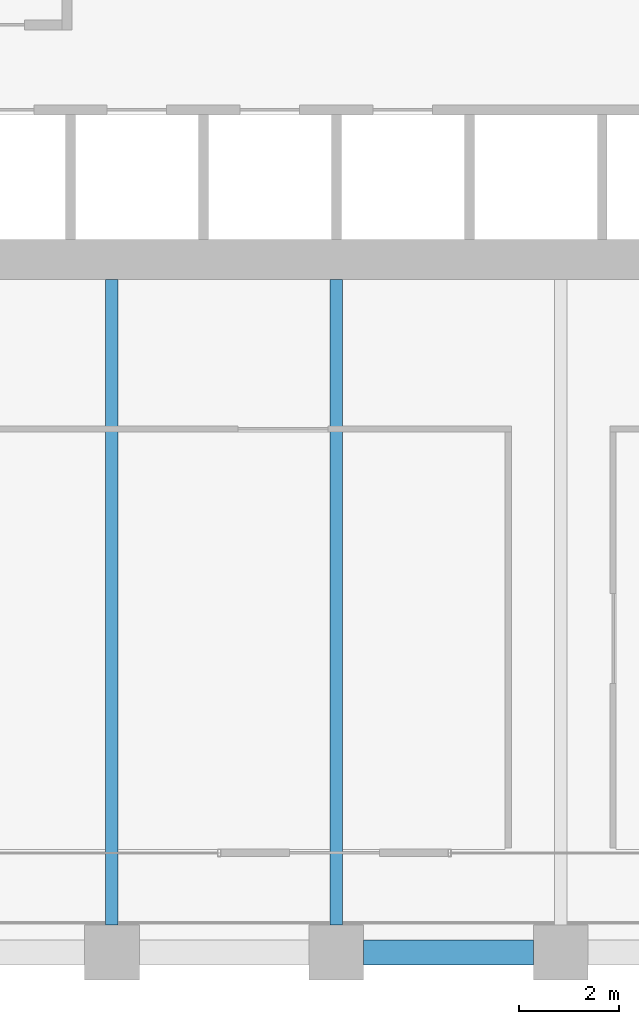
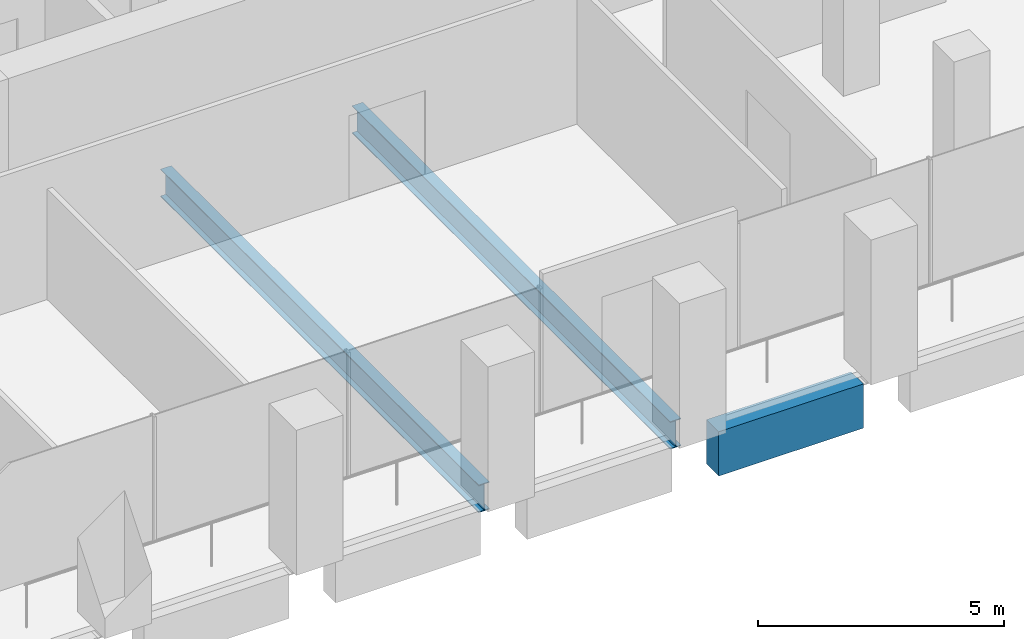
# One storey, part 8 of 54: 3 beams.
"""IFC4 building model written with IfcOpenShell, lengths in metres."""

from ifc_helpers import new_model, si_unit, direction, frame, origin, origin_2d, place, context, subcontext, project, spatial, rectangle, i_section, extrude, material, material_profile, profile_set, type_object, element, save


model = new_model("IFC4")

# Units and contexts
model_context = context("Model", 3, precision=1e-05, world=origin(), true_north=direction((0.0, 1.0)))
body_context = subcontext(model_context, "Body", "Model", "MODEL_VIEW")
ifc_project = project(units=[si_unit("LENGTHUNIT", "METRE"), si_unit("AREAUNIT", "SQUARE_METRE"), si_unit("VOLUMEUNIT", "CUBIC_METRE"), si_unit("PLANEANGLEUNIT", "RADIAN"), si_unit("MASSUNIT", "GRAM", prefix="KILO")], contexts=[model_context])

# Site, building, storey
site_placement = place(None, origin())
site = spatial("IfcSite", under=ifc_project, at=site_placement, CompositionType="ELEMENT")
building_placement = place(site_placement, origin())
building = spatial("IfcBuilding", under=site, at=building_placement, Name="Altepetl Exchange Towers", CompositionType="ELEMENT")
storey_placement = place(building_placement, frame((0.0, 0.0, 65.39990234375)))
storey = spatial("IfcBuildingStorey", under=building, at=storey_placement, Name="L15", CompositionType="ELEMENT", Elevation=65.39990234375)

# Beams
ifc_material_1 = material(Name="Steel S355", Category="steel")
ifc_material_profile_1 = material_profile(ifc_material_1, i_section(OverallWidth=0.25390625, OverallDepth=0.68408203125, WebThickness=0.012451171875, FlangeThickness=0.018798828125, at=origin_2d()), Name="W27X94")
ifc_profile_set_1 = profile_set([ifc_material_profile_1], Name="Steel S355")
beam_type_1 = type_object("IfcBeamType", Name="Floor beam W27X94", PredefinedType="BEAM", material=ifc_profile_set_1)
for number, where, z_axis, x_axis, name in (
    (1, (45.0, 27.550048828125, -0.491943359375), (0.0, 1.0, 0.0), (-1.0, 0.0, 0.0), "bm:A:L15:015"),
    (2, (49.5, 27.550048828125, -0.491943359375), (0.0, 1.0, 0.0), (-1.0, 0.0, 0.0), "bm:A:L15:016"),
):
    element("IfcBeam", number, at=place(storey_placement, frame(where, z_axis=z_axis, x_axis=x_axis)), inside=storey, type_object=beam_type_1, Name=name, PredefinedType="BEAM", context=body_context, shape_type="SweptSolid", body=[
        extrude(i_section(OverallWidth=0.25390625, OverallDepth=0.68408203125, WebThickness=0.012451171875, FlangeThickness=0.018798828125, at=origin_2d()), origin(), (0.0, 0.0, 1.0), 12.949951171875),
    ])
ifc_material_2 = material(Name="Concrete C50/60 precast with cantera blanca facing", Category="concrete")
ifc_material_profile_2 = material_profile(ifc_material_2, rectangle(XDim=0.5, YDim=1.10009765625, at=origin_2d()), Name="500 x 1100")
ifc_profile_set_2 = profile_set([ifc_material_profile_2], Name="Concrete C50/60 precast with cantera blanca facing")
beam_type_2 = type_object("IfcBeamType", Name="Spandrel beam 500x1100 cantera blanca", PredefinedType="SPANDREL", material=ifc_profile_set_2)
beam_placement = place(storey_placement, frame((50.050048828125, 27.0, -0.699951171875), z_axis=(1.0, 0.0, 0.0), x_axis=(0.0, 1.0, 0.0)))
element("IfcBeam", 3, at=beam_placement, inside=storey, type_object=beam_type_2, Name="sp:A:L15:004", PredefinedType="SPANDREL", context=body_context, shape_type="SweptSolid", body=[
    extrude(rectangle(XDim=0.5, YDim=1.10009765625, at=origin_2d()), origin(), (0.0, 0.0, 1.0), 3.39990234375),
])

save(model, "model.ifc")
